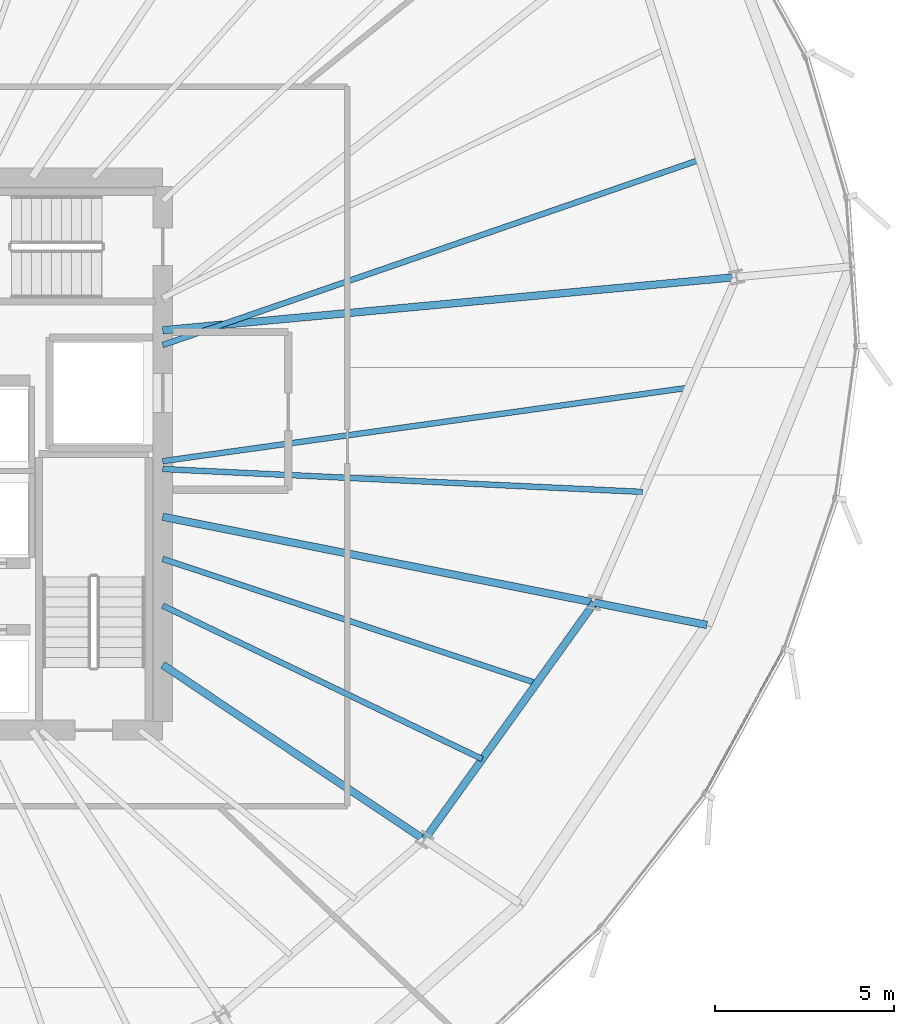
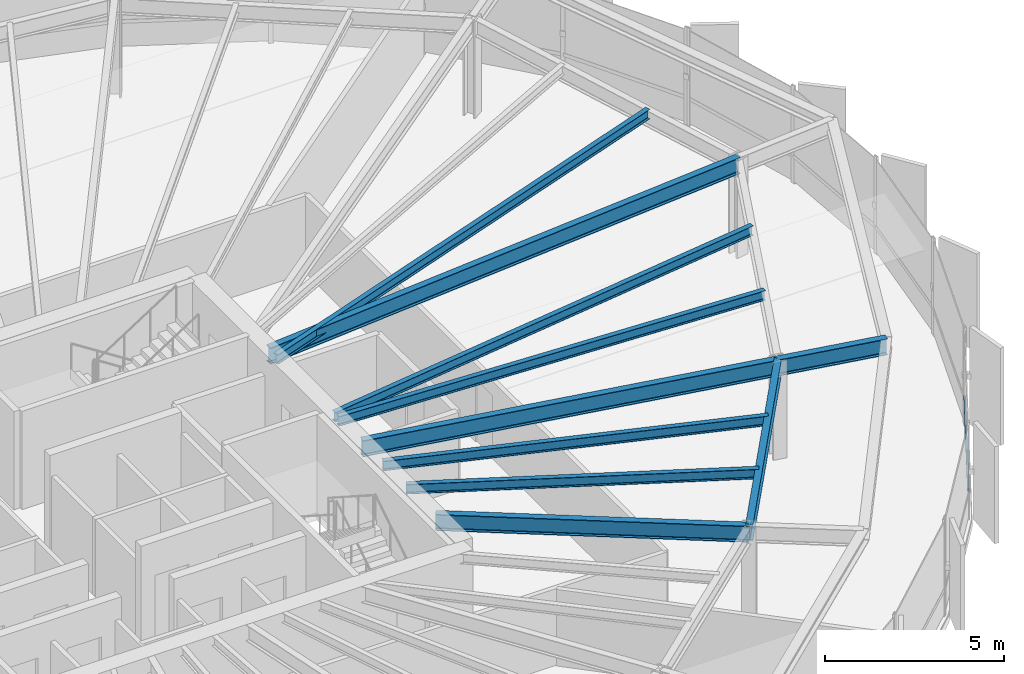
# One storey, part 15 of 34: 10 beams, 1 member, 1 element without a shape of its own.
"""IFC4 building model written with IfcOpenShell, lengths in metres."""

import ifcopenshell
import ifcopenshell.guid

model = None  # the IFC model being written
_history = None  # IfcOwnerHistory: only IFC2X3 demands one
_inside = {}  # id of a spatial element -> (the spatial element, [elements in it])
_under = {}  # id of a project, library or spatial element -> (it, [spatial elements below it])
_declared = {}  # id of a project -> (the project, [libraries it declares])
_typed = {}  # id of a type object -> (the type object, [elements of that type])
_made_of = {}  # id of a material, layer set ... -> (it, [elements and type objects made of it])


def new_model(schema):
    """Start an empty IFC model of exactly this schema.

    Asked for "IFC4X3", IfcOpenShell would pick the latest addendum, in which some entities
    have other attributes; the version numbers below select the first issue.
    IFC2X3 requires an IfcOwnerHistory on every rooted entity: one is made here for all.
    """
    global model, _history
    if schema == "IFC4X3":
        model = ifcopenshell.file(schema_version=(4, 3, 0, 0))
    else:
        model = ifcopenshell.file(schema=schema)
    _inside.clear()
    _under.clear()
    _declared.clear()
    _typed.clear()
    _made_of.clear()
    _history = None
    if model.schema == "IFC2X3":
        org = make("IfcOrganization", Name="unknown")
        user = make(
            "IfcPersonAndOrganization",
            ThePerson=make("IfcPerson", FamilyName="unknown"),
            TheOrganization=org,
        )
        app = make(
            "IfcApplication",
            ApplicationDeveloper=org,
            Version="unknown",
            ApplicationFullName="unknown",
            ApplicationIdentifier="unknown",
        )
        _history = make(
            "IfcOwnerHistory",
            OwningUser=user,
            OwningApplication=app,
            ChangeAction="ADDED",
            CreationDate=0,
        )
    return model


def make(cls, **values):
    """One entity of the class cls with the attributes given. An attribute that is None is left unset."""
    return model.create_entity(
        cls, **{name: value for name, value in values.items() if value is not None}
    )


def rooted(cls, **values):
    """An entity with a GlobalId (a new one), such as an element, a storey or a relation."""
    return make(cls, GlobalId=ifcopenshell.guid.new(), OwnerHistory=_history, **values)


def si_unit(unit_type, name, prefix=None):
    """IfcSIUnit, for example si_unit("LENGTHUNIT", "METRE", prefix="MILLI")."""
    return make("IfcSIUnit", UnitType=unit_type, Prefix=prefix, Name=name)


def assignment(units):
    """IfcUnitAssignment: the units of a project."""
    return None if units is None else make("IfcUnitAssignment", Units=units)


def point(xyz):
    """IfcCartesianPoint."""
    return None if xyz is None else make("IfcCartesianPoint", Coordinates=xyz)


def direction(xyz):
    """IfcDirection."""
    return None if xyz is None else make("IfcDirection", DirectionRatios=xyz)


def frame(location, z_axis=None, x_axis=None):
    """IfcAxis2Placement3D, a coordinate frame: its origin and axes. An axis left out is left unset."""
    return make(
        "IfcAxis2Placement3D",
        Location=point(location),
        Axis=direction(z_axis),
        RefDirection=direction(x_axis),
    )


def frame_2d(location, x_axis=None):
    """IfcAxis2Placement2D, a coordinate frame in the plane: its origin and x axis."""
    return make(
        "IfcAxis2Placement2D", Location=point(location), RefDirection=direction(x_axis)
    )


def origin():
    """The frame at (0, 0, 0) with its axes left unset."""
    return frame((0.0, 0.0, 0.0))


def origin_2d():
    """The frame at (0, 0) in the plane with its x axis left unset."""
    return frame_2d((0.0, 0.0))


def place(relative_to, where):
    """IfcLocalPlacement: puts the frame where relative to a parent placement (None: the world)."""
    return make(
        "IfcLocalPlacement", PlacementRelTo=relative_to, RelativePlacement=where
    )


def context(
    kind, dimensions, precision=None, world=None, true_north=None, identifier=None
):
    """IfcGeometricRepresentationContext, for example the 3D "Model" context."""
    return make(
        "IfcGeometricRepresentationContext",
        ContextIdentifier=identifier,
        ContextType=kind,
        CoordinateSpaceDimension=dimensions,
        Precision=precision,
        WorldCoordinateSystem=world,
        TrueNorth=true_north,
    )


def subcontext(parent, identifier, kind, view, scale=None):
    """IfcGeometricRepresentationSubContext, for example "Body" below "Model"."""
    return make(
        "IfcGeometricRepresentationSubContext",
        ContextIdentifier=identifier,
        ContextType=kind,
        ParentContext=parent,
        TargetScale=scale,
        TargetView=view,
    )


def project(units=None, contexts=None):
    """IfcProject with its units and contexts."""
    return rooted(
        "IfcProject",
        Name="project",
        RepresentationContexts=contexts,
        UnitsInContext=assignment(units),
    )


def spatial(cls, under=None, at=None, **own):
    """A site, building, storey or space (cls), placed at a placement, below another one or the project."""
    s = rooted(cls, ObjectPlacement=at, **own)
    if under is not None:
        _under.setdefault(under.id(), (under, []))[1].append(s)
    return s


def profile(cls, at=None, kind="AREA", **sizes):
    """A parametric profile (cls). Its sizes go by their IFC names, for example OverallWidth=200.0."""
    return make(cls, ProfileType=kind, Position=at, **sizes)


def hollow_rectangle(**sizes):
    """IfcRectangleHollowProfileDef."""
    return profile("IfcRectangleHollowProfileDef", **sizes)


def i_section(**sizes):
    """IfcIShapeProfileDef."""
    return profile("IfcIShapeProfileDef", **sizes)


def extrude(swept, where, along, depth):
    """IfcExtrudedAreaSolid: the profile swept, set in the frame where, extruded along a direction by depth."""
    return make(
        "IfcExtrudedAreaSolid",
        SweptArea=swept,
        Position=where,
        ExtrudedDirection=direction(along),
        Depth=depth,
    )


def shape(context_of_items, identifier, shape_type, items):
    """IfcShapeRepresentation: the items that make up one representation, for example the "Body"."""
    return make(
        "IfcShapeRepresentation",
        ContextOfItems=context_of_items,
        RepresentationIdentifier=identifier,
        RepresentationType=shape_type,
        Items=items,
    )


def source(mapping_origin, context_of_items, identifier, shape_type, items):
    """IfcRepresentationMap: a shape defined once, which mapped items show again and again."""
    return make(
        "IfcRepresentationMap",
        MappingOrigin=mapping_origin,
        MappedRepresentation=shape(context_of_items, identifier, shape_type, items),
    )


def transform(
    local_origin,
    x_axis=None,
    y_axis=None,
    z_axis=None,
    scale=None,
    scale2=None,
    scale3=None,
    uniform=True,
):
    """IfcCartesianTransformationOperator3D, or its non-uniform kind. x_axis, y_axis, z_axis: its Axis1, 2, 3."""
    if uniform:
        return make(
            "IfcCartesianTransformationOperator3D",
            Axis1=direction(x_axis),
            Axis2=direction(y_axis),
            LocalOrigin=point(local_origin),
            Scale=scale,
            Axis3=direction(z_axis),
        )
    return make(
        "IfcCartesianTransformationOperator3DnonUniform",
        Axis1=direction(x_axis),
        Axis2=direction(y_axis),
        LocalOrigin=point(local_origin),
        Scale=scale,
        Axis3=direction(z_axis),
        Scale2=scale2,
        Scale3=scale3,
    )


def mapped(mapping_source, mapping_target):
    """IfcMappedItem: shows the shape of a source again, moved by a transform."""
    return make(
        "IfcMappedItem", MappingSource=mapping_source, MappingTarget=mapping_target
    )


def material(Name=None, Category=None):
    """IfcMaterial."""
    return make("IfcMaterial", Name=Name, Category=Category)


def layer(
    of_material, thickness, ventilated=None, Name=None, Category=None, Priority=None
):
    """IfcMaterialLayer: one layer of a wall or slab, of a material (None: an air gap)."""
    return make(
        "IfcMaterialLayer",
        Material=of_material,
        LayerThickness=thickness,
        IsVentilated=ventilated,
        Name=Name,
        Category=Category,
        Priority=Priority,
    )


def layer_set(layers, Name=None):
    """IfcMaterialLayerSet."""
    return make("IfcMaterialLayerSet", MaterialLayers=layers, LayerSetName=Name)


def material_profile(
    of_material, cross_section, Name=None, Category=None, Priority=None
):
    """IfcMaterialProfile: a cross section and its material."""
    return make(
        "IfcMaterialProfile",
        Name=Name,
        Material=of_material,
        Profile=cross_section,
        Priority=Priority,
        Category=Category,
    )


def profile_set(profiles, Name=None, composite=None):
    """IfcMaterialProfileSet."""
    return make(
        "IfcMaterialProfileSet",
        Name=Name,
        MaterialProfiles=profiles,
        CompositeProfile=composite,
    )


def made_of(thing, what):
    """Note that an element or type object is made of a material, layer set ...; save() writes the relation."""
    if what is not None:
        _made_of.setdefault(what.id(), (what, []))[1].append(thing)
    return thing


def type_object(cls, material=None, **own):
    """A type object (cls), such as IfcWallType, which elements share."""
    return made_of(rooted(cls, **own), material)


def element(
    cls,
    number,
    at=None,
    inside=None,
    cuts=None,
    type_object=None,
    material=None,
    context=None,
    identifier="Body",
    shape_type=None,
    held_by="IfcProductDefinitionShape",
    body=None,
    shapes=None,
    **own,
):
    """One element of the class cls, such as IfcWall. Its Tag is "e" and its number.

    at: its placement. inside: the storey or other place that contains it. cuts: it is an
    opening in that element (IfcRelVoidsElement). A single representation is given by context,
    identifier, shape_type and body (its items); several are given by shapes. held_by: the class
    of the entity that holds the representations. save() writes the other relations.
    """
    e = rooted(cls, Tag="e%d" % number, ObjectPlacement=at, **own)
    if body is not None:
        shapes = [shape(context, identifier, shape_type, body)]
    if shapes is not None:
        e.Representation = make(held_by, Representations=shapes)
    if inside is not None:
        _inside.setdefault(inside.id(), (inside, []))[1].append(e)
    if cuts is not None:
        rooted(
            "IfcRelVoidsElement", RelatingBuildingElement=cuts, RelatedOpeningElement=e
        )
    if type_object is not None:
        _typed.setdefault(type_object.id(), (type_object, []))[1].append(e)
    return made_of(e, material)


def aggregate(whole, parts):
    """IfcRelAggregates: a whole, such as a stair, and the parts it consists of."""
    return rooted("IfcRelAggregates", RelatingObject=whole, RelatedObjects=parts)


def save(model, path):
    """Write the relations noted so far, then the file.

    IfcRelAggregates (storeys below a building ...), IfcRelContainedInSpatialStructure (elements
    in a storey), IfcRelDefinesByType, IfcRelAssociatesMaterial and IfcRelDeclares: one each for
    every whole, place, type object, material and project.
    """
    for whole, parts in _under.values():
        aggregate(whole, parts)
    for where, things in _inside.values():
        rooted(
            "IfcRelContainedInSpatialStructure",
            RelatedElements=things,
            RelatingStructure=where,
        )
    for kind, things in _typed.values():
        rooted("IfcRelDefinesByType", RelatedObjects=things, RelatingType=kind)
    for what, things in _made_of.values():
        rooted("IfcRelAssociatesMaterial", RelatedObjects=things, RelatingMaterial=what)
    for by, libraries in _declared.values():
        rooted("IfcRelDeclares", RelatingContext=by, RelatedDefinitions=libraries)
    model.write(path)


model = new_model("IFC4")

# Units and contexts
model_context = context("Model", 3, precision=1e-05, world=origin(), true_north=direction((0.0, 1.0)))
body_context = subcontext(model_context, "Body", "Model", "MODEL_VIEW")
ifc_project = project(units=[si_unit("LENGTHUNIT", "METRE"), si_unit("AREAUNIT", "SQUARE_METRE"), si_unit("VOLUMEUNIT", "CUBIC_METRE"), si_unit("PLANEANGLEUNIT", "RADIAN"), si_unit("MASSUNIT", "GRAM", prefix="KILO"), si_unit("THERMODYNAMICTEMPERATUREUNIT", "KELVIN")], contexts=[model_context])

# Site, building, storey
site_placement = place(None, origin())
site = spatial("IfcSite", under=ifc_project, at=site_placement, CompositionType="ELEMENT")
building_placement = place(site_placement, origin())
building = spatial("IfcBuilding", under=site, at=building_placement, Name="Kethvar Cultural Tower", CompositionType="ELEMENT")
storey_placement = place(building_placement, frame((0.0, 0.0, 125.199951171875)))
storey = spatial("IfcBuildingStorey", under=building, at=storey_placement, Name="L31", CompositionType="ELEMENT", Elevation=125.199951171875)

# Beams
ifc_material_1 = material(Name="Steel S355J2", Category="steel")
ifc_material_profile_1 = material_profile(ifc_material_1, i_section(OverallWidth=0.2099609375, OverallDepth=0.550048828125, WebThickness=0.010986328125, FlangeThickness=0.01708984375, FilletRadius=0.02392578125, at=origin_2d()), Name="Steel S355J2 — IPE550")
ifc_profile_set_1 = profile_set([ifc_material_profile_1], Name="Steel S355J2 — IPE550")
beam_type_1 = type_object("IfcBeamType", Name="BM-IPE550", PredefinedType="BEAM", material=ifc_profile_set_1)
shared_shape_1 = source(origin(), body_context, "Body", "SweptSolid", [
    extrude(i_section(OverallWidth=0.2099609375, OverallDepth=0.550048828125, WebThickness=0.010986328125, FlangeThickness=0.01708984375, FilletRadius=0.02392578125, at=origin_2d()), origin(), (0.0, 0.0, 1.0), 16.071044921875),
])
beam_1_placement = place(storey_placement, frame((55.60009765625, 31.25, 3.072998046875), z_axis=(0.995731009363, 0.092302529718, 0.0), x_axis=(-0.092302529718, 0.995731009363, 0.0)))
element("IfcBeam", 1, at=beam_1_placement, inside=storey, type_object=beam_type_1, Name="L31 Primary Radial Beam RB-01", PredefinedType="BEAM", context=body_context, shape_type="MappedRepresentation", body=[
    mapped(shared_shape_1, transform((0.0, 0.0, 0.0), scale=1.0)),
])
shared_shape_2 = source(origin(), body_context, "Body", "SweptSolid", [
    extrude(i_section(OverallWidth=0.2099609375, OverallDepth=0.550048828125, WebThickness=0.010986328125, FlangeThickness=0.01708984375, FilletRadius=0.02392578125, at=origin_2d()), origin(), (0.0, 0.0, 1.0), 3.199951171875),
])
beam_2_placement = place(storey_placement, frame((67.638671875, 23.65478515625, 3.072998046875), z_axis=(0.980785550224, -0.195088965533, 0.0), x_axis=(0.195088965533, 0.980785550224, 0.0)))
element("IfcBeam", 2, at=beam_2_placement, inside=storey, type_object=beam_type_1, Name="L31 Perimeter Cantilever Beam RC-16", PredefinedType="BEAM", context=body_context, shape_type="MappedRepresentation", body=[
    mapped(shared_shape_2, transform((0.0, 0.0, 0.0), scale=1.0)),
])
shared_shape_3 = source(origin(), body_context, "Body", "SweptSolid", [
    extrude(i_section(OverallWidth=0.2099609375, OverallDepth=0.550048828125, WebThickness=0.010986328125, FlangeThickness=0.01708984375, FilletRadius=0.02392578125, at=origin_2d()), origin(), (0.0, 0.0, 1.0), 8.77783203125),
])
beam_3_placement = place(storey_placement, frame((55.60009765625, 21.919921875, 3.072998046875), z_axis=(0.831472186778, -0.555566380026, 0.0), x_axis=(0.555566380026, 0.831472186778, 0.0)))
element("IfcBeam", 3, at=beam_3_placement, inside=storey, type_object=beam_type_1, Name="L31 Primary Radial Beam RB-15", PredefinedType="BEAM", context=body_context, shape_type="MappedRepresentation", body=[
    mapped(shared_shape_3, transform((0.0, 0.0, 0.0), scale=1.0)),
])
shared_shape_4 = source(origin(), body_context, "Body", "SweptSolid", [
    extrude(i_section(OverallWidth=0.2099609375, OverallDepth=0.550048828125, WebThickness=0.010986328125, FlangeThickness=0.01708984375, FilletRadius=0.02392578125, at=origin_2d()), origin(), (0.0, 0.0, 1.0), 12.2744140625),
])
beam_4_placement = place(storey_placement, frame((55.60009765625, 26.049560546875, 3.072998046875), z_axis=(0.980782878234, -0.195102398146, 0.0), x_axis=(0.195102398146, 0.980782878234, 0.0)))
element("IfcBeam", 4, at=beam_4_placement, inside=storey, type_object=beam_type_1, Name="L31 Primary Radial Beam RB-16", PredefinedType="BEAM", context=body_context, shape_type="MappedRepresentation", body=[
    mapped(shared_shape_4, transform((0.0, 0.0, 0.0), scale=1.0)),
])
ifc_material_profile_2 = material_profile(ifc_material_1, i_section(OverallWidth=0.159912109375, OverallDepth=0.330078125, WebThickness=0.007568359375, FlangeThickness=0.011474609375, FilletRadius=0.01806640625, at=origin_2d()), Name="Steel S355J2 — IPE330")
ifc_profile_set_2 = profile_set([ifc_material_profile_2], Name="Steel S355J2 — IPE330")
beam_type_2 = type_object("IfcBeamType", Name="BM-J330", PredefinedType="JOIST", material=ifc_profile_set_2)
shared_shape_5 = source(origin(), body_context, "Body", "SweptSolid", [
    extrude(i_section(OverallWidth=0.159912109375, OverallDepth=0.330078125, WebThickness=0.007568359375, FlangeThickness=0.011474609375, FilletRadius=0.01806640625, at=origin_2d()), origin(), (0.0, 0.0, 1.0), 15.836669921875),
])
beam_5_placement = place(storey_placement, frame((55.60009765625, 30.836181640625, 3.18310546875), z_axis=(0.945315135904, 0.326158387644, 0.0), x_axis=(-0.326158387644, 0.945315135904, 0.0)))
element("IfcBeam", 5, at=beam_5_placement, inside=storey, type_object=beam_type_2, Name="L31 Composite Floor Joist J-01A", PredefinedType="JOIST", context=body_context, shape_type="MappedRepresentation", body=[
    mapped(shared_shape_5, transform((0.0, 0.0, 0.0), scale=1.0)),
])
shared_shape_6 = source(origin(), body_context, "Body", "SweptSolid", [
    extrude(i_section(OverallWidth=0.2099609375, OverallDepth=0.550048828125, WebThickness=0.010986328125, FlangeThickness=0.01708984375, FilletRadius=0.02392578125, at=origin_2d()), origin(), (0.0, 0.0, 1.0), 8.13525390625),
])
beam_6_placement = place(storey_placement, frame((62.898681640625, 17.043212890625, 3.072998046875), z_axis=(0.582656731995, 0.812718359988, 0.0), x_axis=(-0.812718359988, 0.582656731995, 0.0)))
element("IfcBeam", 6, at=beam_6_placement, inside=storey, type_object=beam_type_1, Name="L31 Column Ring Tie Beam CR-15", PredefinedType="BEAM", context=body_context, shape_type="MappedRepresentation", body=[
    mapped(shared_shape_6, transform((0.0, 0.0, 0.0), scale=1.0)),
])
shared_shape_7 = source(origin(), body_context, "Body", "SweptSolid", [
    extrude(i_section(OverallWidth=0.159912109375, OverallDepth=0.330078125, WebThickness=0.007568359375, FlangeThickness=0.011474609375, FilletRadius=0.01806640625, at=origin_2d()), origin(), (0.0, 0.0, 1.0), 9.885009765625),
])
beam_7_placement = place(storey_placement, frame((55.60009765625, 23.572021484375, 3.18310546875), z_axis=(0.901369611334, -0.43305060185, 0.0), x_axis=(0.43305060185, 0.901369611334, 0.0)))
element("IfcBeam", 7, at=beam_7_placement, inside=storey, type_object=beam_type_2, Name="L31 Composite Floor Joist J-15A", PredefinedType="JOIST", context=body_context, shape_type="MappedRepresentation", body=[
    mapped(shared_shape_7, transform((0.0, 0.0, 0.0), scale=1.0)),
])
shared_shape_8 = source(origin(), body_context, "Body", "SweptSolid", [
    extrude(i_section(OverallWidth=0.159912109375, OverallDepth=0.330078125, WebThickness=0.007568359375, FlangeThickness=0.011474609375, FilletRadius=0.01806640625, at=origin_2d()), origin(), (0.0, 0.0, 1.0), 10.98828125),
])
beam_8_placement = place(storey_placement, frame((55.60009765625, 24.8740234375, 3.18310546875), z_axis=(0.948918548228, -0.315521138481, 0.0), x_axis=(0.315521138481, 0.948918548228, 0.0)))
element("IfcBeam", 8, at=beam_8_placement, inside=storey, type_object=beam_type_2, Name="L31 Composite Floor Joist J-15B", PredefinedType="JOIST", context=body_context, shape_type="MappedRepresentation", body=[
    mapped(shared_shape_8, transform((0.0, 0.0, 0.0), scale=1.0)),
])
shared_shape_9 = source(origin(), body_context, "Body", "SweptSolid", [
    extrude(i_section(OverallWidth=0.159912109375, OverallDepth=0.330078125, WebThickness=0.007568359375, FlangeThickness=0.011474609375, FilletRadius=0.01806640625, at=origin_2d()), origin(), (0.0, 0.0, 1.0), 13.4013671875),
])
beam_9_placement = place(storey_placement, frame((55.60009765625, 27.380126953125, 3.18310546875), z_axis=(0.998864631653, -0.047638719894, 0.0), x_axis=(0.047638719894, 0.998864631653, 0.0)))
element("IfcBeam", 9, at=beam_9_placement, inside=storey, type_object=beam_type_2, Name="L31 Composite Floor Joist J-16A", PredefinedType="JOIST", context=body_context, shape_type="MappedRepresentation", body=[
    mapped(shared_shape_9, transform((0.0, 0.0, 0.0), scale=1.0)),
])
shared_shape_10 = source(origin(), body_context, "Body", "SweptSolid", [
    extrude(i_section(OverallWidth=0.159912109375, OverallDepth=0.330078125, WebThickness=0.007568359375, FlangeThickness=0.011474609375, FilletRadius=0.01806640625, at=origin_2d()), origin(), (0.0, 0.0, 1.0), 14.797119140625),
])
beam_10_placement = place(storey_placement, frame((55.60009765625, 27.60009765625, 3.18310546875), z_axis=(0.990388450305, 0.138313836986, 0.0), x_axis=(-0.138313836986, 0.990388450305, 0.0)))
element("IfcBeam", 10, at=beam_10_placement, inside=storey, type_object=beam_type_2, Name="L31 Composite Floor Joist J-16B", PredefinedType="JOIST", context=body_context, shape_type="MappedRepresentation", body=[
    mapped(shared_shape_10, transform((0.0, 0.0, 0.0), scale=1.0)),
])

# Curtain wall, member
ifc_material_2 = material(Name="Aluminium 6063-T6", Category="aluminium")
ifc_layer = layer(ifc_material_2, 0.179931640625, Name="Aluminium 6063-T6", Category="aluminium")
ifc_layer_set = layer_set([ifc_layer], Name="Aluminium 6063-T6 (180 mm)")
curtain_wall_type = type_object("IfcCurtainWallType", Name="CW-SYS-03-Z2", PredefinedType="NOTDEFINED", material=ifc_layer_set)
curtain_wall_placement = place(storey_placement, origin())
curtain_wall = element("IfcCurtainWall", 11, at=curtain_wall_placement, inside=storey, type_object=curtain_wall_type, Name="L31 Curtain Wall Run 06", PredefinedType="NOTDEFINED")
ifc_material_profile_3 = material_profile(ifc_material_2, hollow_rectangle(XDim=0.054931640625, YDim=0.1201171875, WallThickness=0.00390625, at=origin_2d()), Name="Aluminium 6063-T6 — RHS120x55x4")
ifc_profile_set_3 = profile_set([ifc_material_profile_3], Name="Aluminium 6063-T6 — RHS120x55x4")
member_type = type_object("IfcMemberType", Name="CW-SYS-03-Z2-TRN", PredefinedType="USERDEFINED", material=ifc_profile_set_3)
shared_shape_11 = source(origin(), body_context, "Body", "SweptSolid", [
    extrude(hollow_rectangle(XDim=0.054931640625, YDim=0.1201171875, WallThickness=0.00390625, at=origin_2d()), origin(), (0.0, 0.0, 1.0), 4.533935546875),
])
member_placement = place(storey_placement, frame((70.727783203125, 18.37451171875, 0.949951171875), z_axis=(0.480646975711, 0.876914183224, 0.0), x_axis=(-0.876914183224, 0.480646975711, 0.0)))
member = element("IfcMember", 12, at=member_placement, type_object=member_type, Name="CW-L31-R06 Transom 2", ObjectType="TRANSOM", PredefinedType="USERDEFINED", context=body_context, shape_type="MappedRepresentation", body=[
    mapped(shared_shape_11, transform((0.0, 0.0, 0.0), scale=1.0)),
])
aggregate(curtain_wall, [member])

save(model, "model.ifc")
